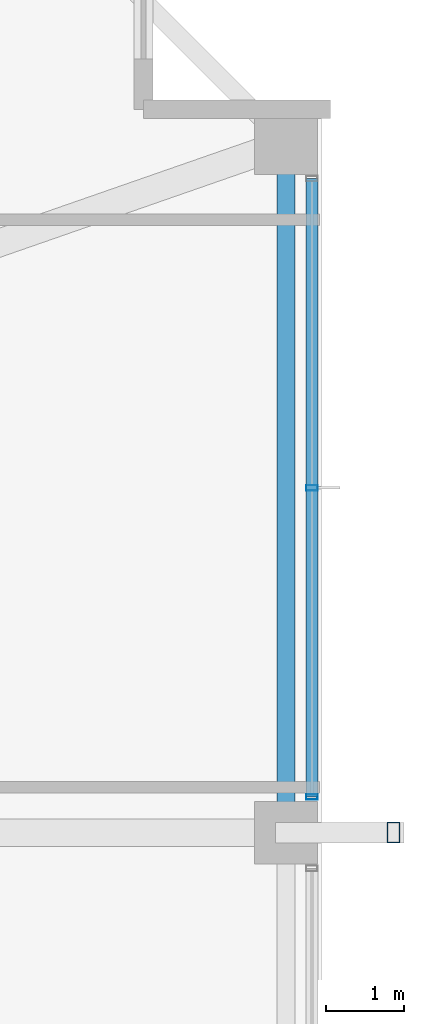
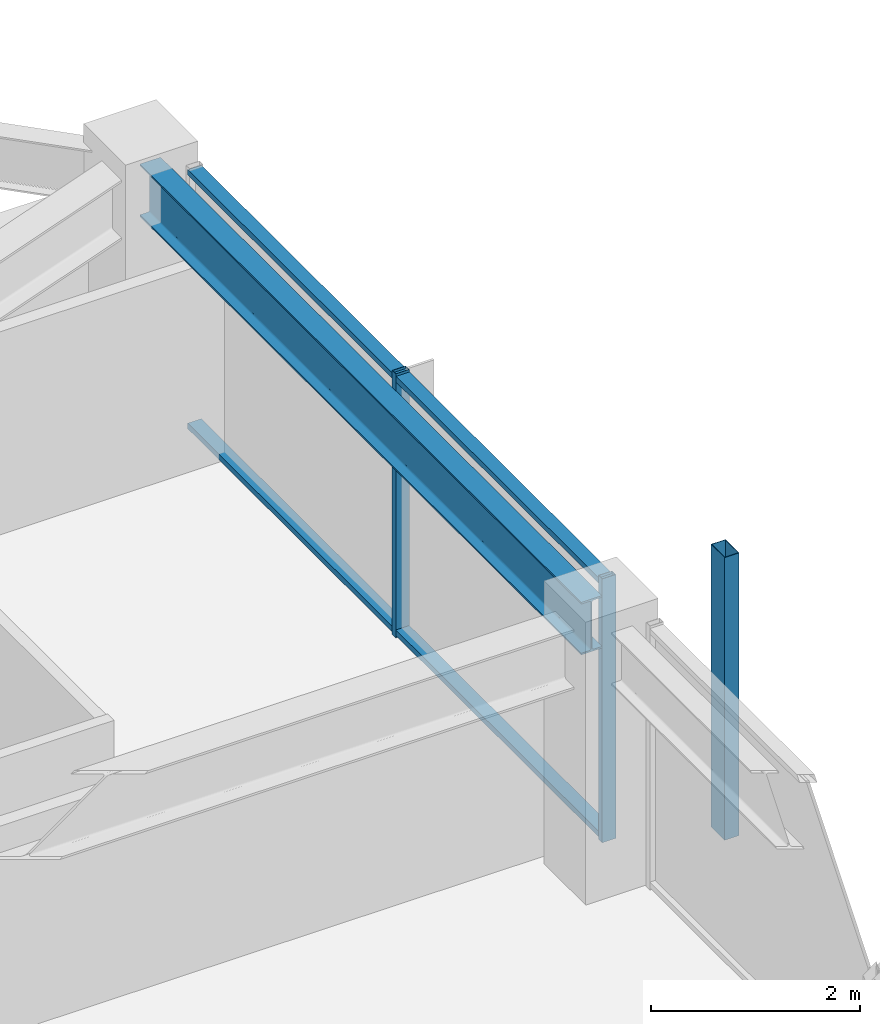
# One storey, part 14 of 33: 5 members, 1 beam, 1 element without a shape of its own.
"""IFC4 building model written with IfcOpenShell, lengths in metres."""

import ifcopenshell
import ifcopenshell.guid

model = None  # the IFC model being written
_history = None  # IfcOwnerHistory: only IFC2X3 demands one
_inside = {}  # id of a spatial element -> (the spatial element, [elements in it])
_under = {}  # id of a project, library or spatial element -> (it, [spatial elements below it])
_declared = {}  # id of a project -> (the project, [libraries it declares])
_typed = {}  # id of a type object -> (the type object, [elements of that type])
_made_of = {}  # id of a material, layer set ... -> (it, [elements and type objects made of it])


def new_model(schema):
    """Start an empty IFC model of exactly this schema.

    Asked for "IFC4X3", IfcOpenShell would pick the latest addendum, in which some entities
    have other attributes; the version numbers below select the first issue.
    IFC2X3 requires an IfcOwnerHistory on every rooted entity: one is made here for all.
    """
    global model, _history
    if schema == "IFC4X3":
        model = ifcopenshell.file(schema_version=(4, 3, 0, 0))
    else:
        model = ifcopenshell.file(schema=schema)
    _inside.clear()
    _under.clear()
    _declared.clear()
    _typed.clear()
    _made_of.clear()
    _history = None
    if model.schema == "IFC2X3":
        org = make("IfcOrganization", Name="unknown")
        user = make(
            "IfcPersonAndOrganization",
            ThePerson=make("IfcPerson", FamilyName="unknown"),
            TheOrganization=org,
        )
        app = make(
            "IfcApplication",
            ApplicationDeveloper=org,
            Version="unknown",
            ApplicationFullName="unknown",
            ApplicationIdentifier="unknown",
        )
        _history = make(
            "IfcOwnerHistory",
            OwningUser=user,
            OwningApplication=app,
            ChangeAction="ADDED",
            CreationDate=0,
        )
    return model


def make(cls, **values):
    """One entity of the class cls with the attributes given. An attribute that is None is left unset."""
    return model.create_entity(
        cls, **{name: value for name, value in values.items() if value is not None}
    )


def rooted(cls, **values):
    """An entity with a GlobalId (a new one), such as an element, a storey or a relation."""
    return make(cls, GlobalId=ifcopenshell.guid.new(), OwnerHistory=_history, **values)


def si_unit(unit_type, name, prefix=None):
    """IfcSIUnit, for example si_unit("LENGTHUNIT", "METRE", prefix="MILLI")."""
    return make("IfcSIUnit", UnitType=unit_type, Prefix=prefix, Name=name)


def assignment(units):
    """IfcUnitAssignment: the units of a project."""
    return None if units is None else make("IfcUnitAssignment", Units=units)


def point(xyz):
    """IfcCartesianPoint."""
    return None if xyz is None else make("IfcCartesianPoint", Coordinates=xyz)


def direction(xyz):
    """IfcDirection."""
    return None if xyz is None else make("IfcDirection", DirectionRatios=xyz)


def frame(location, z_axis=None, x_axis=None):
    """IfcAxis2Placement3D, a coordinate frame: its origin and axes. An axis left out is left unset."""
    return make(
        "IfcAxis2Placement3D",
        Location=point(location),
        Axis=direction(z_axis),
        RefDirection=direction(x_axis),
    )


def frame_2d(location, x_axis=None):
    """IfcAxis2Placement2D, a coordinate frame in the plane: its origin and x axis."""
    return make(
        "IfcAxis2Placement2D", Location=point(location), RefDirection=direction(x_axis)
    )


def origin():
    """The frame at (0, 0, 0) with its axes left unset."""
    return frame((0.0, 0.0, 0.0))


def origin_2d():
    """The frame at (0, 0) in the plane with its x axis left unset."""
    return frame_2d((0.0, 0.0))


def place(relative_to, where):
    """IfcLocalPlacement: puts the frame where relative to a parent placement (None: the world)."""
    return make(
        "IfcLocalPlacement", PlacementRelTo=relative_to, RelativePlacement=where
    )


def context(
    kind, dimensions, precision=None, world=None, true_north=None, identifier=None
):
    """IfcGeometricRepresentationContext, for example the 3D "Model" context."""
    return make(
        "IfcGeometricRepresentationContext",
        ContextIdentifier=identifier,
        ContextType=kind,
        CoordinateSpaceDimension=dimensions,
        Precision=precision,
        WorldCoordinateSystem=world,
        TrueNorth=true_north,
    )


def subcontext(parent, identifier, kind, view, scale=None):
    """IfcGeometricRepresentationSubContext, for example "Body" below "Model"."""
    return make(
        "IfcGeometricRepresentationSubContext",
        ContextIdentifier=identifier,
        ContextType=kind,
        ParentContext=parent,
        TargetScale=scale,
        TargetView=view,
    )


def project(units=None, contexts=None):
    """IfcProject with its units and contexts."""
    return rooted(
        "IfcProject",
        Name="project",
        RepresentationContexts=contexts,
        UnitsInContext=assignment(units),
    )


def spatial(cls, under=None, at=None, **own):
    """A site, building, storey or space (cls), placed at a placement, below another one or the project."""
    s = rooted(cls, ObjectPlacement=at, **own)
    if under is not None:
        _under.setdefault(under.id(), (under, []))[1].append(s)
    return s


def profile(cls, at=None, kind="AREA", **sizes):
    """A parametric profile (cls). Its sizes go by their IFC names, for example OverallWidth=200.0."""
    return make(cls, ProfileType=kind, Position=at, **sizes)


def hollow_rectangle(**sizes):
    """IfcRectangleHollowProfileDef."""
    return profile("IfcRectangleHollowProfileDef", **sizes)


def i_section(**sizes):
    """IfcIShapeProfileDef."""
    return profile("IfcIShapeProfileDef", **sizes)


def extrude(swept, where, along, depth):
    """IfcExtrudedAreaSolid: the profile swept, set in the frame where, extruded along a direction by depth."""
    return make(
        "IfcExtrudedAreaSolid",
        SweptArea=swept,
        Position=where,
        ExtrudedDirection=direction(along),
        Depth=depth,
    )


def shape(context_of_items, identifier, shape_type, items):
    """IfcShapeRepresentation: the items that make up one representation, for example the "Body"."""
    return make(
        "IfcShapeRepresentation",
        ContextOfItems=context_of_items,
        RepresentationIdentifier=identifier,
        RepresentationType=shape_type,
        Items=items,
    )


def material(Name=None, Category=None):
    """IfcMaterial."""
    return make("IfcMaterial", Name=Name, Category=Category)


def material_profile(
    of_material, cross_section, Name=None, Category=None, Priority=None
):
    """IfcMaterialProfile: a cross section and its material."""
    return make(
        "IfcMaterialProfile",
        Name=Name,
        Material=of_material,
        Profile=cross_section,
        Priority=Priority,
        Category=Category,
    )


def profile_set(profiles, Name=None, composite=None):
    """IfcMaterialProfileSet."""
    return make(
        "IfcMaterialProfileSet",
        Name=Name,
        MaterialProfiles=profiles,
        CompositeProfile=composite,
    )


def made_of(thing, what):
    """Note that an element or type object is made of a material, layer set ...; save() writes the relation."""
    if what is not None:
        _made_of.setdefault(what.id(), (what, []))[1].append(thing)
    return thing


def type_object(cls, material=None, **own):
    """A type object (cls), such as IfcWallType, which elements share."""
    return made_of(rooted(cls, **own), material)


def element(
    cls,
    number,
    at=None,
    inside=None,
    cuts=None,
    type_object=None,
    material=None,
    context=None,
    identifier="Body",
    shape_type=None,
    held_by="IfcProductDefinitionShape",
    body=None,
    shapes=None,
    **own,
):
    """One element of the class cls, such as IfcWall. Its Tag is "e" and its number.

    at: its placement. inside: the storey or other place that contains it. cuts: it is an
    opening in that element (IfcRelVoidsElement). A single representation is given by context,
    identifier, shape_type and body (its items); several are given by shapes. held_by: the class
    of the entity that holds the representations. save() writes the other relations.
    """
    e = rooted(cls, Tag="e%d" % number, ObjectPlacement=at, **own)
    if body is not None:
        shapes = [shape(context, identifier, shape_type, body)]
    if shapes is not None:
        e.Representation = make(held_by, Representations=shapes)
    if inside is not None:
        _inside.setdefault(inside.id(), (inside, []))[1].append(e)
    if cuts is not None:
        rooted(
            "IfcRelVoidsElement", RelatingBuildingElement=cuts, RelatedOpeningElement=e
        )
    if type_object is not None:
        _typed.setdefault(type_object.id(), (type_object, []))[1].append(e)
    return made_of(e, material)


def aggregate(whole, parts):
    """IfcRelAggregates: a whole, such as a stair, and the parts it consists of."""
    return rooted("IfcRelAggregates", RelatingObject=whole, RelatedObjects=parts)


def save(model, path):
    """Write the relations noted so far, then the file.

    IfcRelAggregates (storeys below a building ...), IfcRelContainedInSpatialStructure (elements
    in a storey), IfcRelDefinesByType, IfcRelAssociatesMaterial and IfcRelDeclares: one each for
    every whole, place, type object, material and project.
    """
    for whole, parts in _under.values():
        aggregate(whole, parts)
    for where, things in _inside.values():
        rooted(
            "IfcRelContainedInSpatialStructure",
            RelatedElements=things,
            RelatingStructure=where,
        )
    for kind, things in _typed.values():
        rooted("IfcRelDefinesByType", RelatedObjects=things, RelatingType=kind)
    for what, things in _made_of.values():
        rooted("IfcRelAssociatesMaterial", RelatedObjects=things, RelatingMaterial=what)
    for by, libraries in _declared.values():
        rooted("IfcRelDeclares", RelatingContext=by, RelatedDefinitions=libraries)
    model.write(path)


model = new_model("IFC4")

# Units and contexts
model_context = context("Model", 3, precision=1e-05, world=origin(), true_north=direction((0.0, 1.0)))
body_context = subcontext(model_context, "Body", "Model", "MODEL_VIEW")
ifc_project = project(units=[si_unit("LENGTHUNIT", "METRE"), si_unit("AREAUNIT", "SQUARE_METRE"), si_unit("VOLUMEUNIT", "CUBIC_METRE"), si_unit("PLANEANGLEUNIT", "RADIAN"), si_unit("MASSUNIT", "GRAM", prefix="KILO")], contexts=[model_context])

# Site, building, storey
site_placement = place(None, origin())
site = spatial("IfcSite", under=ifc_project, at=site_placement, CompositionType="ELEMENT")
building_placement = place(site_placement, origin())
building = spatial("IfcBuilding", under=site, at=building_placement, Name="Kolvaren Belvedere", CompositionType="ELEMENT")
storey_placement = place(building_placement, frame((0.0, 0.0, 209.699951171875)))
storey = spatial("IfcBuildingStorey", under=building, at=storey_placement, Name="L61", CompositionType="ELEMENT", Elevation=209.699951171875)

# Beam
ifc_material_1 = material(Name="Structural steel ASTM A992 Grade 50", Category="steel")
ifc_material_profile_1 = material_profile(ifc_material_1, i_section(OverallWidth=0.22900390625, OverallDepth=0.612060546875, WebThickness=0.011962890625, FlangeThickness=0.01953125, FilletRadius=0.01806640625, at=origin_2d()), Name="W24X84")
ifc_profile_set_1 = profile_set([ifc_material_profile_1], Name="Structural steel ASTM A992 Grade 50")
beam_type = type_object("IfcBeamType", Name="BM-SPAN-W24X84", PredefinedType="SPANDREL", material=ifc_profile_set_1)
beam_placement = place(storey_placement, frame((19.949951171875, 4.780029296875, 2.774169921875), z_axis=(0.0, 1.0, 0.0), x_axis=(-1.0, 0.0, 0.0)))
element("IfcBeam", 1, at=beam_placement, inside=storey, type_object=beam_type, Name="L61 Perimeter Spandrel E3-E4", PredefinedType="SPANDREL", context=body_context, shape_type="SweptSolid", body=[
    extrude(i_section(OverallWidth=0.22900390625, OverallDepth=0.612060546875, WebThickness=0.011962890625, FlangeThickness=0.01953125, FilletRadius=0.01806640625, at=origin_2d()), origin(), (0.0, 0.0, 1.0), 8.43994140625),
])

# Curtain wall, members
ifc_material_2 = material(Name="Anodised pale-metal aluminium AA 6063-T6", Category="aluminium")
curtain_wall_type = type_object("IfcCurtainWallType", Name="CW-Z5-HIGH", PredefinedType="NOTDEFINED", material=ifc_material_2)
curtain_wall_placement = place(storey_placement, origin())
curtain_wall = element("IfcCurtainWall", 2, at=curtain_wall_placement, inside=storey, type_object=curtain_wall_type, Name="L61 Unitised Curtain Wall FCW-L61-E-B1", PredefinedType="NOTDEFINED")
ifc_material_3 = material(Name="Anodised pale-metal aluminium AA 6063-T6", Category="aluminium")
ifc_material_profile_2 = material_profile(ifc_material_3, hollow_rectangle(XDim=0.070068359375, YDim=0.14990234375, WallThickness=0.004150390625, at=origin_2d()), Name="ALU-MUL-150X70")
ifc_profile_set_2 = profile_set([ifc_material_profile_2], Name="Anodised pale-metal aluminium AA 6063-T6")
member_type_1 = type_object("IfcMemberType", Name="CW-MUL-150", PredefinedType="MULLION", material=ifc_profile_set_2)
member_1_placement = place(storey_placement, frame((20.280029296875, 9.0, 0.0), z_axis=(0.0, 0.0, 1.0), x_axis=(0.0, 1.0, 0.0)))
member_1 = element("IfcMember", 3, at=member_1_placement, type_object=member_type_1, Name="FCW-L61-E-B1 Unitised Mullion 2", PredefinedType="MULLION", context=body_context, shape_type="SweptSolid", body=[
    extrude(hollow_rectangle(XDim=0.070068359375, YDim=0.14990234375, WallThickness=0.004150390625, at=origin_2d()), origin(), (0.0, 0.0, 1.0), 3.080078125),
])
member_2_placement = place(storey_placement, frame((20.280029296875, 5.054931640625, 0.0), z_axis=(0.0, 0.0, 1.0), x_axis=(0.0, 1.0, 0.0)))
member_2 = element("IfcMember", 4, at=member_2_placement, type_object=member_type_1, Name="FCW-L61-E-B1 Unitised Mullion 3", PredefinedType="MULLION", context=body_context, shape_type="SweptSolid", body=[
    extrude(hollow_rectangle(XDim=0.070068359375, YDim=0.14990234375, WallThickness=0.004150390625, at=origin_2d()), origin(), (0.0, 0.0, 1.0), 3.080078125),
])
ifc_material_4 = material(Name="Anodised pale-metal aluminium AA 6063-T6", Category="aluminium")
ifc_material_profile_3 = material_profile(ifc_material_4, hollow_rectangle(XDim=0.06494140625, YDim=0.14990234375, WallThickness=0.00390625, at=origin_2d()), Name="ALU-TRN-150X65")
ifc_profile_set_3 = profile_set([ifc_material_profile_3], Name="Anodised pale-metal aluminium AA 6063-T6")
member_type_2 = type_object("IfcMemberType", Name="CW-TRN-150", PredefinedType="USERDEFINED", material=ifc_profile_set_3)
member_3_placement = place(storey_placement, frame((20.280029296875, 12.945068359375, 0.06005859375), z_axis=(0.0, -1.0, 0.0), x_axis=(0.0, 0.0, 1.0)))
member_3 = element("IfcMember", 5, at=member_3_placement, type_object=member_type_2, Name="FCW-L61-E-B1 Sill Transom", ObjectType="TRANSOM", PredefinedType="USERDEFINED", context=body_context, shape_type="SweptSolid", body=[
    extrude(hollow_rectangle(XDim=0.06494140625, YDim=0.14990234375, WallThickness=0.00390625, at=origin_2d()), origin(), (0.0, 0.0, 1.0), 7.89013671875),
])
member_4_placement = place(storey_placement, frame((20.280029296875, 12.945068359375, 3.02001953125), z_axis=(0.0, -1.0, 0.0), x_axis=(0.0, 0.0, 1.0)))
member_4 = element("IfcMember", 6, at=member_4_placement, type_object=member_type_2, Name="FCW-L61-E-B1 Head Transom", ObjectType="TRANSOM", PredefinedType="USERDEFINED", context=body_context, shape_type="SweptSolid", body=[
    extrude(hollow_rectangle(XDim=0.06494140625, YDim=0.14990234375, WallThickness=0.00390625, at=origin_2d()), origin(), (0.0, 0.0, 1.0), 7.89013671875),
])
aggregate(curtain_wall, [member_1, member_2, member_3, member_4])

# Member
ifc_material_5 = material(Name="Anodised pale-metal aluminium AA 6063-T6", Category="aluminium")
ifc_material_profile_4 = material_profile(ifc_material_5, hollow_rectangle(XDim=0.159912109375, YDim=0.260009765625, WallThickness=0.006591796875, at=origin_2d()), Name="ALU-PF-260X160")
ifc_profile_set_4 = profile_set([ifc_material_profile_4], Name="Anodised pale-metal aluminium AA 6063-T6")
member_type_3 = type_object("IfcMemberType", Name="PF-FRAME-260", PredefinedType="USERDEFINED", material=ifc_profile_set_4)
member_5_placement = place(storey_placement, frame((21.320068359375, 4.60009765625, 0.0), z_axis=(0.0, 0.0, 1.0), x_axis=(1.0, 0.0, 0.0)))
element("IfcMember", 7, at=member_5_placement, inside=storey, type_object=member_type_3, Name="L61 Outboard Picture-Frame Vertical E1", ObjectType="PICTURE FRAME FIN", PredefinedType="USERDEFINED", context=body_context, shape_type="SweptSolid", body=[
    extrude(hollow_rectangle(XDim=0.159912109375, YDim=0.260009765625, WallThickness=0.006591796875, at=origin_2d()), origin(), (0.0, 0.0, 1.0), 3.300048828125),
])

save(model, "model.ifc")
